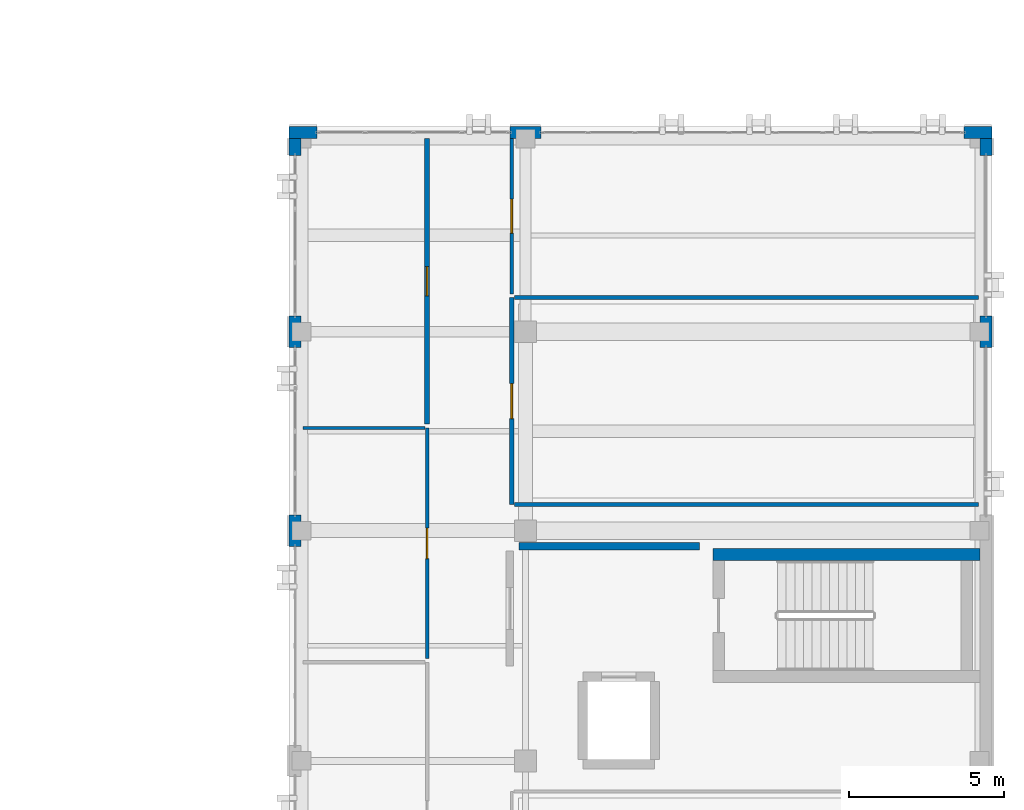
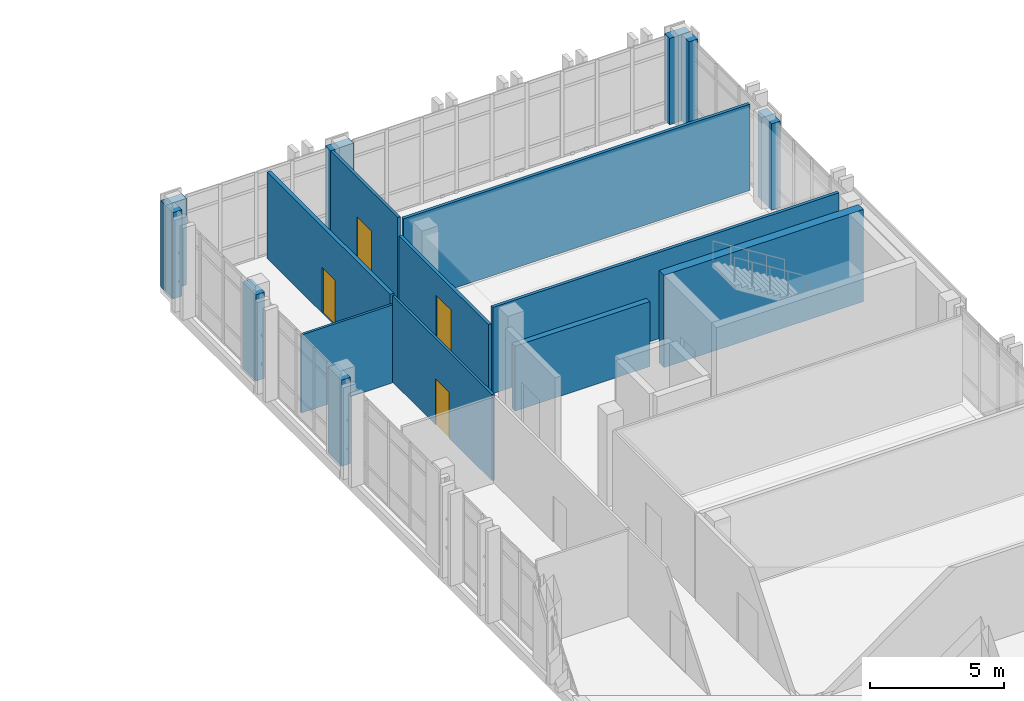
# One storey, part 72 of 90: 17 walls, 4 doors, 4 openings.
"""IFC4 building model written with IfcOpenShell, lengths in metres."""

from ifc_helpers import new_model, si_unit, direction, frame, frame_2d, origin, place, context, subcontext, project, spatial, rectangle, extrude, material, layer, layer_set, type_object, element, fill, save


model = new_model("IFC4")

# Units and contexts
model_context = context("Model", 3, precision=1e-05, world=origin(), true_north=direction((0.0, 1.0)))
body_context = subcontext(model_context, "Body", "Model", "MODEL_VIEW")
ifc_project = project(units=[si_unit("LENGTHUNIT", "METRE"), si_unit("AREAUNIT", "SQUARE_METRE"), si_unit("VOLUMEUNIT", "CUBIC_METRE"), si_unit("PLANEANGLEUNIT", "RADIAN"), si_unit("MASSUNIT", "GRAM", prefix="KILO")], contexts=[model_context])

# Site, building, storey
site_placement = place(None, origin())
site = spatial("IfcSite", under=ifc_project, at=site_placement, CompositionType="ELEMENT")
building_placement = place(site_placement, origin())
building = spatial("IfcBuilding", under=site, at=building_placement, Name="Qalavern Law Courts", CompositionType="ELEMENT")
storey_placement = place(building_placement, frame((0.0, 0.0, 22.800048828125)))
storey = spatial("IfcBuildingStorey", under=building, at=storey_placement, Name="L05", CompositionType="ELEMENT", Elevation=22.800048828125)

# Walls
ifc_material_1 = material(Name="Concrete C40/50", Category="concrete")
ifc_layer_1 = layer(ifc_material_1, 0.385009765625)
ifc_layer_set_1 = layer_set([ifc_layer_1], Name="Concrete C40/50")
wall_type_1 = type_object("IfcWallType", Name="ENV-EW-385", PredefinedType="SOLIDWALL", material=ifc_layer_set_1)
wall_1_placement = place(storey_placement, frame((106.607421875, 78.699951171875, 0.0), z_axis=(0.0, 0.0, 1.0), x_axis=(0.0, 1.0, 0.0)))
element("IfcWall", 1, at=wall_1_placement, inside=storey, type_object=wall_type_1, Name="V4 exterior pier wall L05 east 5", PredefinedType="SOLIDWALL", context=body_context, shape_type="SweptSolid", body=[
    extrude(rectangle(XDim=1.0, YDim=0.385009765625, at=frame_2d((0.5, 0.0))), origin(), (0.0, 0.0, 1.0), 3.929931640625),
])
wall_2_placement = place(storey_placement, frame((106.607421875, 84.8701171875, 0.0), z_axis=(0.0, 0.0, 1.0), x_axis=(0.0, 1.0, 0.0)))
element("IfcWall", 2, at=wall_2_placement, inside=storey, type_object=wall_type_1, Name="V4 exterior pier wall L05 east 6", PredefinedType="SOLIDWALL", context=body_context, shape_type="SweptSolid", body=[
    extrude(rectangle(XDim=0.5498046875, YDim=0.385009765625, at=frame_2d((0.27490234375, 0.0))), origin(), (0.0, 0.0, 1.0), 3.929931640625),
])
wall_3_placement = place(storey_placement, frame((106.800048828125, 85.607421875, 0.0), z_axis=(0.0, 0.0, 1.0), x_axis=(-1.0, 0.0, 0.0)))
element("IfcWall", 3, at=wall_3_placement, inside=storey, type_object=wall_type_1, Name="V4 exterior pier wall L05 north 1", PredefinedType="SOLIDWALL", context=body_context, shape_type="SweptSolid", body=[
    extrude(rectangle(XDim=0.900146484375, YDim=0.385009765625, at=frame_2d((0.4501953125, 0.0))), origin(), (0.0, 0.0, 1.0), 3.929931640625),
])
wall_4_placement = place(storey_placement, frame((92.300048828125, 85.607421875, 0.0), z_axis=(0.0, 0.0, 1.0), x_axis=(-1.0, 0.0, 0.0)))
element("IfcWall", 4, at=wall_4_placement, inside=storey, type_object=wall_type_1, Name="V4 exterior pier wall L05 north 2", PredefinedType="SOLIDWALL", context=body_context, shape_type="SweptSolid", body=[
    extrude(rectangle(XDim=1.0, YDim=0.385009765625, at=frame_2d((0.5, 0.0))), origin(), (0.0, 0.0, 1.0), 3.929931640625),
])
wall_5_placement = place(storey_placement, frame((85.10009765625, 85.607421875, 0.0), z_axis=(0.0, 0.0, 1.0), x_axis=(-1.0, 0.0, 0.0)))
element("IfcWall", 5, at=wall_5_placement, inside=storey, type_object=wall_type_1, Name="V4 exterior pier wall L05 north 3", PredefinedType="SOLIDWALL", context=body_context, shape_type="SweptSolid", body=[
    extrude(rectangle(XDim=0.900146484375, YDim=0.385009765625, at=frame_2d((0.4501953125, 0.0))), origin(), (0.0, 0.0, 1.0), 3.929931640625),
])
wall_6_placement = place(storey_placement, frame((84.392578125, 85.419921875, 0.0), z_axis=(0.0, 0.0, 1.0), x_axis=(0.0, -1.0, 0.0)))
element("IfcWall", 6, at=wall_6_placement, inside=storey, type_object=wall_type_1, Name="V4 exterior pier wall L05 west 1", PredefinedType="SOLIDWALL", context=body_context, shape_type="SweptSolid", body=[
    extrude(rectangle(XDim=0.5498046875, YDim=0.385009765625, at=frame_2d((0.27490234375, 0.0))), origin(), (0.0, 0.0, 1.0), 3.929931640625),
])
for number, where, z_axis, x_axis, name in (
    (7, (84.392578125, 79.699951171875, 0.0), (0.0, 0.0, 1.0), (0.0, -1.0, 0.0), "V4 exterior pier wall L05 west 2"),
    (8, (84.392578125, 73.300048828125, 0.0), (0.0, 0.0, 1.0), (0.0, -1.0, 0.0), "V4 exterior pier wall L05 west 3"),
):
    element("IfcWall", number, at=place(storey_placement, frame(where, z_axis=z_axis, x_axis=x_axis)), inside=storey, type_object=wall_type_1, Name=name, PredefinedType="SOLIDWALL", context=body_context, shape_type="SweptSolid", body=[
        extrude(rectangle(XDim=1.0, YDim=0.385009765625, at=frame_2d((0.5, 0.0))), origin(), (0.0, 0.0, 1.0), 3.929931640625),
    ])
ifc_material_2 = material(Name="Concrete C45/55", Category="concrete")
ifc_layer_2 = layer(ifc_material_2, 0.375)
ifc_layer_set_2 = layer_set([ifc_layer_2], Name="Concrete C45/55")
wall_type_2 = type_object("IfcWallType", Name="INT-CW-375", PredefinedType="SHEAR", material=ifc_layer_set_2)
wall_7_placement = place(storey_placement, frame((106.412109375, 72.03759765625, 0.0), z_axis=(0.0, 0.0, 1.0), x_axis=(-1.0, 0.0, 0.0)))
element("IfcWall", 9, at=wall_7_placement, inside=storey, type_object=wall_type_2, Name="Core K1B stair shear wall L05 north", PredefinedType="SHEAR", context=body_context, shape_type="SweptSolid", body=[
    extrude(rectangle(XDim=8.587158203125, YDim=0.375, at=frame_2d((4.29345703125, 0.0))), origin(), (0.0, 0.0, 1.0), 4.199951171875),
])
ifc_layer_3 = layer(ifc_material_1, 0.2451171875)
ifc_layer_set_3 = layer_set([ifc_layer_3], Name="Concrete C40/50")
wall_type_3 = type_object("IfcWallType", Name="INT-FW-245", PredefinedType="PARTITIONING", material=ifc_layer_set_3)
wall_8_placement = place(storey_placement, frame((91.60009765625, 72.300048828125, 0.0), z_axis=(0.0, 0.0, 1.0), x_axis=(1.0, 0.0, 0.0)))
element("IfcWall", 10, at=wall_8_placement, inside=storey, type_object=wall_type_3, Name="Core K1B lobby return wall L05 north", PredefinedType="PARTITIONING", context=body_context, shape_type="SweptSolid", body=[
    extrude(rectangle(XDim=5.7998046875, YDim=0.2451171875, at=frame_2d((2.89990234375, 0.0))), origin(), (0.0, 0.0, 1.0), 2.9599609375),
])

# Wall, opening, door
ifc_material_3 = material(Name="Gypsum sanitary partition")
ifc_layer_4 = layer(ifc_material_3, 0.10205078125)
ifc_layer_set_4 = layer_set([ifc_layer_4], Name="Gypsum sanitary partition")
wall_type_4 = type_object("IfcWallType", Name="INT-PW-102", PredefinedType="PARTITIONING", material=ifc_layer_set_4)
wall_9_placement = place(storey_placement, frame((88.639892578125, 68.68505859375, 0.0), z_axis=(0.0, 0.0, 1.0), x_axis=(0.0, 1.0, 0.0)))
wall_9 = element("IfcWall", 11, at=wall_9_placement, inside=storey, type_object=wall_type_4, Name="Judicial Clerks' Office corridor partition L05", PredefinedType="PARTITIONING", context=body_context, shape_type="SweptSolid", body=[
    extrude(rectangle(XDim=7.4228515625, YDim=0.10205078125, at=frame_2d((3.71142578125, 0.0))), origin(), (0.0, 0.0, 1.0), 3.929931640625),
])
opening_1_placement = place(wall_9_placement, frame((3.221435546875, 0.0, 0.0)))
opening_1 = element("IfcOpeningElement", 12, at=opening_1_placement, cuts=wall_9, Name="Opening L05-D296", PredefinedType="OPENING", context=body_context, shape_type="SweptSolid", body=[
    extrude(rectangle(XDim=0.97998046875, YDim=2.090087890625, at=frame_2d((0.489990234375, 1.044921875))), frame((0.0, 0.06591796875, 0.0), z_axis=(0.0, -1.0, 0.0), x_axis=(1.0, 0.0, 0.0)), (0.0, 0.0, 1.0), 0.1318359375),
])
ifc_material_4 = material(Name="Timber Legal Research Office door", Category="wood")
door_type_1 = type_object("IfcDoorType", Name="INT-ID-980x2090", OperationType="NOTDEFINED", PredefinedType="DOOR", material=ifc_material_4)
door_1_placement = place(opening_1_placement, frame((0.97998046875, 0.0, 0.0), z_axis=(0.0, 0.0, 1.0), x_axis=(-1.0, 0.0, 0.0)))
door_1 = element("IfcDoor", 13, at=door_1_placement, inside=storey, type_object=door_type_1, Name="Judicial Clerks' Office door L05", OperationType="SINGLE_SWING_RIGHT", OverallHeight=2.090087890625, OverallWidth=0.97998046875, PredefinedType="DOOR", context=body_context, shape_type="SweptSolid", body=[
    extrude(rectangle(XDim=0.97998046875, YDim=2.090087890625, at=frame_2d((0.489990234375, 1.044921875))), frame((0.0, 0.02490234375, 0.0), z_axis=(0.0, -1.0, 0.0), x_axis=(1.0, 0.0, 0.0)), (0.0, 0.0, 1.0), 0.050048828125),
])
fill(opening_1, door_1)

# Wall
wall_10_placement = place(storey_placement, frame((84.639892578125, 76.10791015625, 0.0), z_axis=(0.0, 0.0, 1.0), x_axis=(1.0, 0.0, 0.0)))
element("IfcWall", 14, at=wall_10_placement, inside=storey, type_object=wall_type_4, Name="Judicial Clerks' Office cross partition L05 north", PredefinedType="PARTITIONING", context=body_context, shape_type="SweptSolid", body=[
    extrude(rectangle(XDim=3.92919921875, YDim=0.10205078125, at=frame_2d((1.964599609375, 0.0))), origin(), (0.0, 0.0, 1.0), 3.550048828125),
])

# Wall, opening, door
ifc_material_5 = material(Name="Gypsum stud partition")
ifc_layer_5 = layer(ifc_material_5, 0.1220703125)
ifc_layer_set_5 = layer_set([ifc_layer_5], Name="Gypsum stud partition")
wall_type_5 = type_object("IfcWallType", Name="INT-PW-122", PredefinedType="PARTITIONING", material=ifc_layer_set_5)
wall_11_placement = place(storey_placement, frame((91.360107421875, 80.4150390625, 0.0), z_axis=(0.0, 0.0, 1.0), x_axis=(0.0, 1.0, 0.0)))
wall_11 = element("IfcWall", 15, at=wall_11_placement, inside=storey, type_object=wall_type_5, Name="Judicial Clerks' Office corridor partition L05", PredefinedType="PARTITIONING", context=body_context, shape_type="SweptSolid", body=[
    extrude(rectangle(XDim=5.0048828125, YDim=0.1220703125, at=frame_2d((2.50244140625, 0.0))), origin(), (0.0, 0.0, 1.0), 3.929931640625),
])
opening_2_placement = place(wall_11_placement, frame((1.95751953125, 0.0, 0.0)))
opening_2 = element("IfcOpeningElement", 16, at=opening_2_placement, cuts=wall_11, Name="Opening L05-D301", PredefinedType="OPENING", context=body_context, shape_type="SweptSolid", body=[
    extrude(rectangle(XDim=1.090087890625, YDim=2.1298828125, at=frame_2d((0.544921875, 1.06494140625))), frame((0.0, 0.075927734375, 0.0), z_axis=(0.0, -1.0, 0.0), x_axis=(1.0, 0.0, 0.0)), (0.0, 0.0, 1.0), 0.15185546875),
])
ifc_material_6 = material(Name="Solid oak Senior Judges' Chambers door")
door_type_2 = type_object("IfcDoorType", Name="INT-ID-1090x2130", OperationType="NOTDEFINED", PredefinedType="DOOR", material=ifc_material_6)
door_2_placement = place(opening_2_placement, origin())
door_2 = element("IfcDoor", 17, at=door_2_placement, inside=storey, type_object=door_type_2, Name="Judicial Clerks' Office door L05", OperationType="SINGLE_SWING_RIGHT", OverallHeight=2.1298828125, OverallWidth=1.090087890625, PredefinedType="DOOR", context=body_context, shape_type="SweptSolid", body=[
    extrude(rectangle(XDim=1.090087890625, YDim=2.1298828125, at=frame_2d((0.544921875, 1.06494140625))), frame((0.0, 0.02490234375, 0.0), z_axis=(0.0, -1.0, 0.0), x_axis=(1.0, 0.0, 0.0)), (0.0, 0.0, 1.0), 0.050048828125),
])
fill(opening_2, door_2)

ifc_layer_6 = layer(ifc_material_5, 0.132080078125)
ifc_layer_set_6 = layer_set([ifc_layer_6], Name="Gypsum stud partition")
wall_type_6 = type_object("IfcWallType", Name="INT-PW-132", PredefinedType="PARTITIONING", material=ifc_layer_set_6)
wall_12_placement = place(storey_placement, frame((91.360107421875, 73.639892578125, 0.0), z_axis=(0.0, 0.0, 1.0), x_axis=(0.0, 1.0, 0.0)))
wall_12 = element("IfcWall", 18, at=wall_12_placement, inside=storey, type_object=wall_type_6, Name="Judges' Chambers corridor partition L05", PredefinedType="PARTITIONING", context=body_context, shape_type="SweptSolid", body=[
    extrude(rectangle(XDim=6.655029296875, YDim=0.132080078125, at=frame_2d((3.32763671875, 0.0))), origin(), (0.0, 0.0, 1.0), 3.159912109375),
])
opening_3_placement = place(wall_12_placement, frame((2.767578125, 0.0, 0.0)))
opening_3 = element("IfcOpeningElement", 19, at=opening_3_placement, cuts=wall_12, Name="Opening L05-D300", PredefinedType="OPENING", context=body_context, shape_type="SweptSolid", body=[
    extrude(rectangle(XDim=1.1201171875, YDim=2.139892578125, at=frame_2d((0.56005859375, 1.06982421875))), frame((0.0, 0.0810546875, 0.0), z_axis=(0.0, -1.0, 0.0), x_axis=(1.0, 0.0, 0.0)), (0.0, 0.0, 1.0), 0.161865234375),
])
ifc_material_7 = material(Name="Solid oak Appellate Chambers door")
door_type_3 = type_object("IfcDoorType", Name="INT-ID-1120x2140", OperationType="NOTDEFINED", PredefinedType="DOOR", material=ifc_material_7)
door_3_placement = place(opening_3_placement, origin())
door_3 = element("IfcDoor", 20, at=door_3_placement, inside=storey, type_object=door_type_3, Name="Judges' Chambers door L05", OperationType="SINGLE_SWING_LEFT", OverallHeight=2.139892578125, OverallWidth=1.1201171875, PredefinedType="DOOR", context=body_context, shape_type="SweptSolid", body=[
    extrude(rectangle(XDim=1.1201171875, YDim=2.139892578125, at=frame_2d((0.56005859375, 1.06982421875))), frame((0.0, 0.02490234375, 0.0), z_axis=(0.0, -1.0, 0.0), x_axis=(1.0, 0.0, 0.0)), (0.0, 0.0, 1.0), 0.050048828125),
])
fill(opening_3, door_3)

# Walls
for number, where, z_axis, x_axis, name in (
    (21, (91.446044921875, 73.639892578125, 0.0), (0.0, 0.0, 1.0), (1.0, 0.0, 0.0), "Judges' Chambers cross partition L05 south"),
    (22, (91.446044921875, 80.294921875, 0.0), (0.0, 0.0, 1.0), (1.0, 0.0, 0.0), "Judges' Chambers cross partition L05 north"),
):
    element("IfcWall", number, at=place(storey_placement, frame(where, z_axis=z_axis, x_axis=x_axis)), inside=storey, type_object=wall_type_6, Name=name, PredefinedType="PARTITIONING", context=body_context, shape_type="SweptSolid", body=[
        extrude(rectangle(XDim=14.9140625, YDim=0.132080078125, at=frame_2d((7.45703125, 0.0))), origin(), (0.0, 0.0, 1.0), 3.929931640625),
    ])

# Wall, opening, door
ifc_layer_7 = layer(ifc_material_5, 0.162109375)
ifc_layer_set_7 = layer_set([ifc_layer_7], Name="Gypsum stud partition")
wall_type_7 = type_object("IfcWallType", Name="INT-PW-162", PredefinedType="PARTITIONING", material=ifc_layer_set_7)
wall_13_placement = place(storey_placement, frame((88.639892578125, 76.22802734375, 0.0), z_axis=(0.0, 0.0, 1.0), x_axis=(0.0, 1.0, 0.0)))
wall_13 = element("IfcWall", 23, at=wall_13_placement, inside=storey, type_object=wall_type_7, Name="Public WC corridor partition L05", PredefinedType="PARTITIONING", context=body_context, shape_type="SweptSolid", body=[
    extrude(rectangle(XDim=9.19189453125, YDim=0.162109375, at=frame_2d((4.595947265625, 0.0))), origin(), (0.0, 0.0, 1.0), 3.929931640625),
])
opening_4_placement = place(wall_13_placement, frame((4.1259765625, 0.0, 0.0)))
opening_4 = element("IfcOpeningElement", 24, at=opening_4_placement, cuts=wall_13, Name="Opening L05-D297", PredefinedType="OPENING", context=body_context, shape_type="SweptSolid", body=[
    extrude(rectangle(XDim=0.93994140625, YDim=2.070068359375, at=frame_2d((0.469970703125, 1.03515625))), frame((0.0, 0.095947265625, 0.0), z_axis=(0.0, -1.0, 0.0), x_axis=(1.0, 0.0, 0.0)), (0.0, 0.0, 1.0), 0.19189453125),
])
ifc_material_8 = material(Name="Accessible WC outward-clear door")
door_type_4 = type_object("IfcDoorType", Name="INT-ID-940x2070", OperationType="NOTDEFINED", PredefinedType="DOOR", material=ifc_material_8)
door_4_placement = place(opening_4_placement, frame((0.93994140625, 0.0, 0.0), z_axis=(0.0, 0.0, 1.0), x_axis=(-1.0, 0.0, 0.0)))
door_4 = element("IfcDoor", 25, at=door_4_placement, inside=storey, type_object=door_type_4, Name="Public WC door L05", OperationType="SINGLE_SWING_LEFT", OverallHeight=2.070068359375, OverallWidth=0.93994140625, PredefinedType="DOOR", context=body_context, shape_type="SweptSolid", body=[
    extrude(rectangle(XDim=0.93994140625, YDim=2.070068359375, at=frame_2d((0.469970703125, 1.03515625))), frame((0.0, 0.02490234375, 0.0), z_axis=(0.0, -1.0, 0.0), x_axis=(1.0, 0.0, 0.0)), (0.0, 0.0, 1.0), 0.050048828125),
])
fill(opening_4, door_4)

save(model, "model.ifc")
